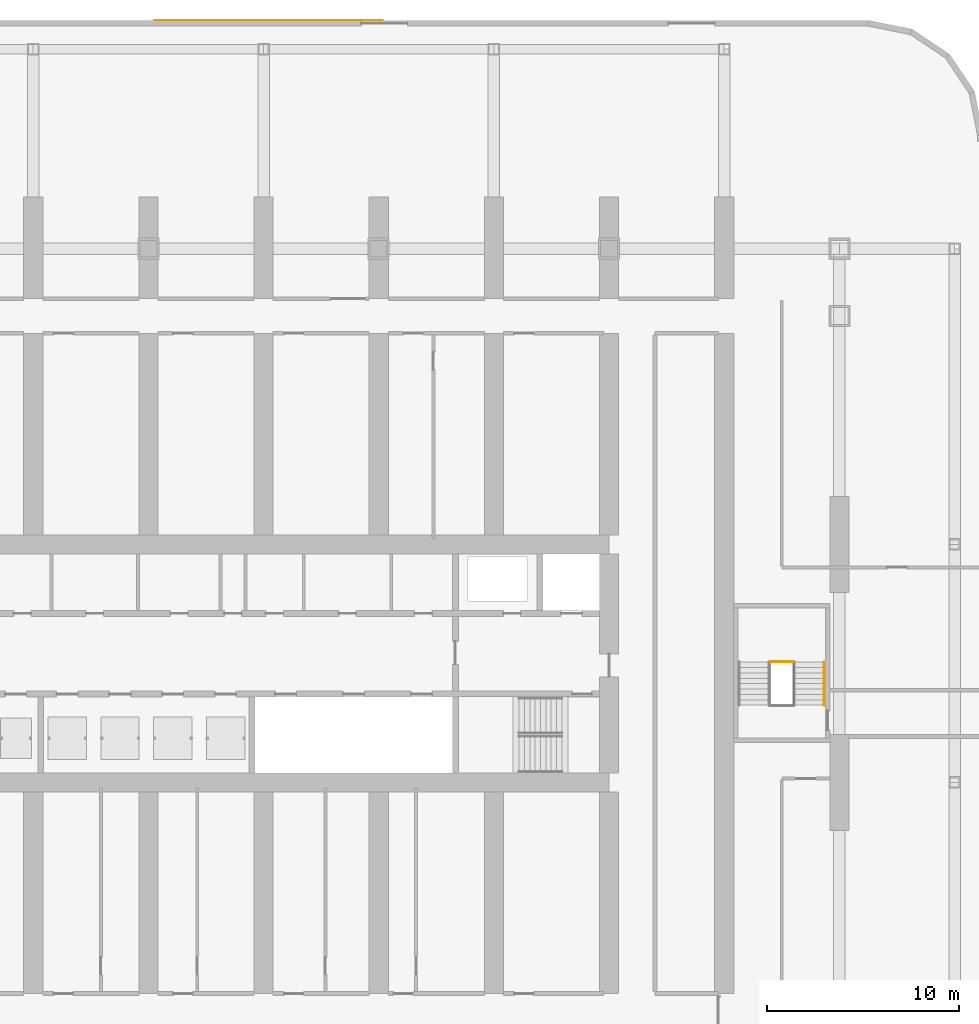
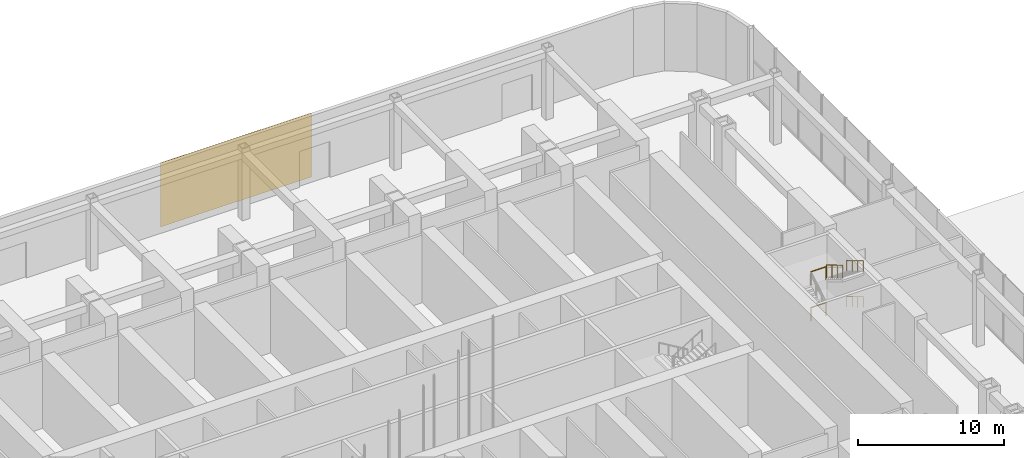
# One storey, part 40 of 57: 5 railings, 1 covering.
"""IFC4 building model written with IfcOpenShell, lengths in metres."""

from ifc_helpers import new_model, si_unit, direction, frame, origin, origin_2d, place, context, subcontext, project, spatial, rectangle, circle, extrude, material, layer, layer_set, type_object, element, save


model = new_model("IFC4")

# Units and contexts
model_context = context("Model", 3, precision=1e-05, world=origin(), true_north=direction((0.0, 1.0)))
body_context = subcontext(model_context, "Body", "Model", "MODEL_VIEW")
ifc_project = project(units=[si_unit("LENGTHUNIT", "METRE"), si_unit("AREAUNIT", "SQUARE_METRE"), si_unit("VOLUMEUNIT", "CUBIC_METRE"), si_unit("PLANEANGLEUNIT", "RADIAN"), si_unit("MASSUNIT", "GRAM", prefix="KILO")], contexts=[model_context])

# Site, building, storey
site_placement = place(None, origin())
site = spatial("IfcSite", under=ifc_project, at=site_placement, CompositionType="ELEMENT")
building_placement = place(site_placement, origin())
building = spatial("IfcBuilding", under=site, at=building_placement, Name="Orbita Commons", CompositionType="ELEMENT")
storey_placement = place(building_placement, origin())
storey = spatial("IfcBuildingStorey", under=building, at=storey_placement, Name="L00", CompositionType="ELEMENT", Elevation=0.0)

# Covering
ifc_material_1 = material(Name="Glass mosaic tesserae on precast backing", Category="concrete")
ifc_layer = layer(ifc_material_1, 0.02001953125)
ifc_layer_set = layer_set([ifc_layer], Name="Glass mosaic tesserae on precast backing")
covering_type = type_object("IfcCoveringType", Name="Mosaic cladding panel 20", PredefinedType="CLADDING", material=ifc_layer_set)
covering_placement = place(storey_placement, frame((48.25, 65.510009765625, 0.300048828125), z_axis=(0.0, 0.0, 1.0), x_axis=(1.0, 0.0, 0.0)))
element("IfcCovering", 1, at=covering_placement, inside=storey, type_object=covering_type, Name="Mosaic mural panel L00 3", PredefinedType="CLADDING", context=body_context, shape_type="SweptSolid", body=[
    extrude(rectangle(XDim=11.89990234375, YDim=0.02001953125, at=origin_2d()), origin(), (0.0, 0.0, 1.0), 5.35009765625),
])

# Railings
ifc_material_2 = material(Name="Steel tube, painted", Category="steel")
railing_type_1 = type_object("IfcRailingType", Name="Stair handrail steel tube 900", PredefinedType="HANDRAIL", material=ifc_material_2)
for number, where, name in (
    (2, (77.215087890625, 32.06005859375, 1.666748046875), "Stair PS2 handrail L00 flight 2"),
    (3, (77.215087890625, 32.06005859375, 4.666748046875), "Stair PS2 handrail L00 flight 4"),
):
    element("IfcRailing", number, at=place(storey_placement, frame(where)), inside=storey, type_object=railing_type_1, Name=name, PredefinedType="HANDRAIL", context=body_context, shape_type="SweptSolid", body=[
        extrude(circle(Radius=0.02099609375, at=origin_2d()), frame((0.0, 0.0, 0.87890625), z_axis=(0.0, -0.859305625298, 0.511462454469), x_axis=(1.0, 0.0, 0.0)), (0.0, 0.0, 1.0), 2.606689453125),
        extrude(circle(Radius=0.02001953125, at=origin_2d()), origin(), (0.0, 0.0, 1.0), 0.85791015625),
        extrude(circle(Radius=0.02001953125, at=origin_2d()), frame((0.0, -0.74658203125, 0.4443359375)), (0.0, 0.0, 1.0), 0.85791015625),
        extrude(circle(Radius=0.02001953125, at=origin_2d()), frame((0.0, -1.493408203125, 0.888916015625)), (0.0, 0.0, 1.0), 0.85791015625),
        extrude(circle(Radius=0.02001953125, at=origin_2d()), frame((0.0, -2.239990234375, 1.333251953125)), (0.0, 0.0, 1.0), 0.85791015625),
    ])
ifc_material_3 = material(Name="Steel balustrade, painted", Category="steel")
railing_type_2 = type_object("IfcRailingType", Name="Stair well guard, steel balustrade 1100", PredefinedType="GUARDRAIL", material=ifc_material_3)
railing_placement = place(storey_placement, frame((75.610107421875, 32.06005859375, 4.666748046875)))
element("IfcRailing", 4, at=railing_placement, inside=storey, type_object=railing_type_2, Name="Stair PS2 well guard L00 flight 4", PredefinedType="GUARDRAIL", context=body_context, shape_type="SweptSolid", body=[
    extrude(circle(Radius=0.02490234375, at=origin_2d()), frame((0.0, 0.0, 1.0751953125), z_axis=(0.0, -0.859305625298, 0.511462454469), x_axis=(1.0, 0.0, 0.0)), (0.0, 0.0, 1.0), 2.606689453125),
    extrude(circle(Radius=0.02490234375, at=origin_2d()), origin(), (0.0, 0.0, 1.0), 1.050048828125),
    extrude(circle(Radius=0.02490234375, at=origin_2d()), frame((0.0, -0.74658203125, 0.4443359375)), (0.0, 0.0, 1.0), 1.050048828125),
    extrude(circle(Radius=0.02490234375, at=origin_2d()), frame((0.0, -1.493408203125, 0.888916015625)), (0.0, 0.0, 1.0), 1.050048828125),
    extrude(circle(Radius=0.02490234375, at=origin_2d()), frame((0.0, -2.239990234375, 1.333251953125)), (0.0, 0.0, 1.0), 1.050048828125),
])
for number, where, name in (
    (5, (74.409912109375, 32.090087890625, 1.5), "Stair PS2 landing well guard L00 2"),
    (6, (74.409912109375, 32.090087890625, 4.5), "Stair PS2 landing well guard L00 4"),
):
    element("IfcRailing", number, at=place(storey_placement, frame(where)), inside=storey, type_object=railing_type_2, Name=name, PredefinedType="GUARDRAIL", context=body_context, shape_type="SweptSolid", body=[
        extrude(circle(Radius=0.02490234375, at=origin_2d()), frame((0.0, 0.0, 1.0751953125), z_axis=(1.0, 0.0, 0.0), x_axis=(0.0, 1.0, 0.0)), (0.0, 0.0, 1.0), 1.18017578125),
        extrude(circle(Radius=0.02490234375, at=origin_2d()), origin(), (0.0, 0.0, 1.0), 1.050048828125),
        extrude(circle(Radius=0.02490234375, at=origin_2d()), frame((1.18017578125, 0.0, 0.0)), (0.0, 0.0, 1.0), 1.050048828125),
    ])

save(model, "model.ifc")
